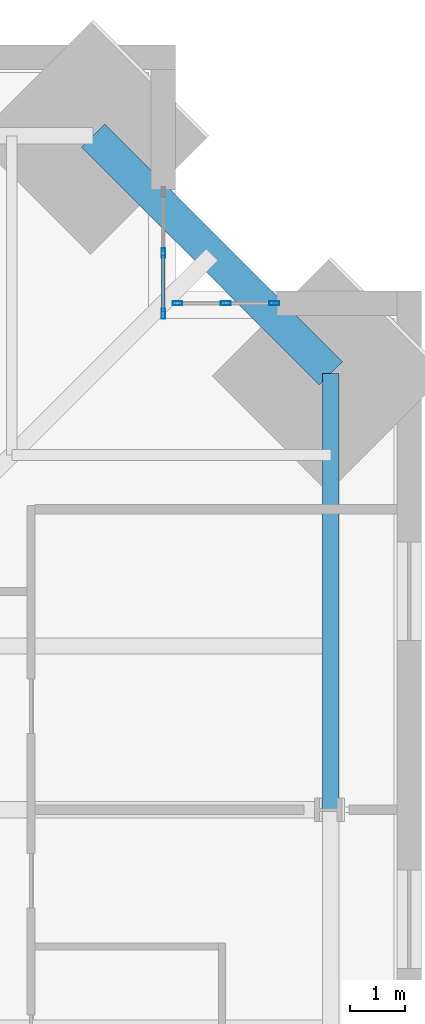
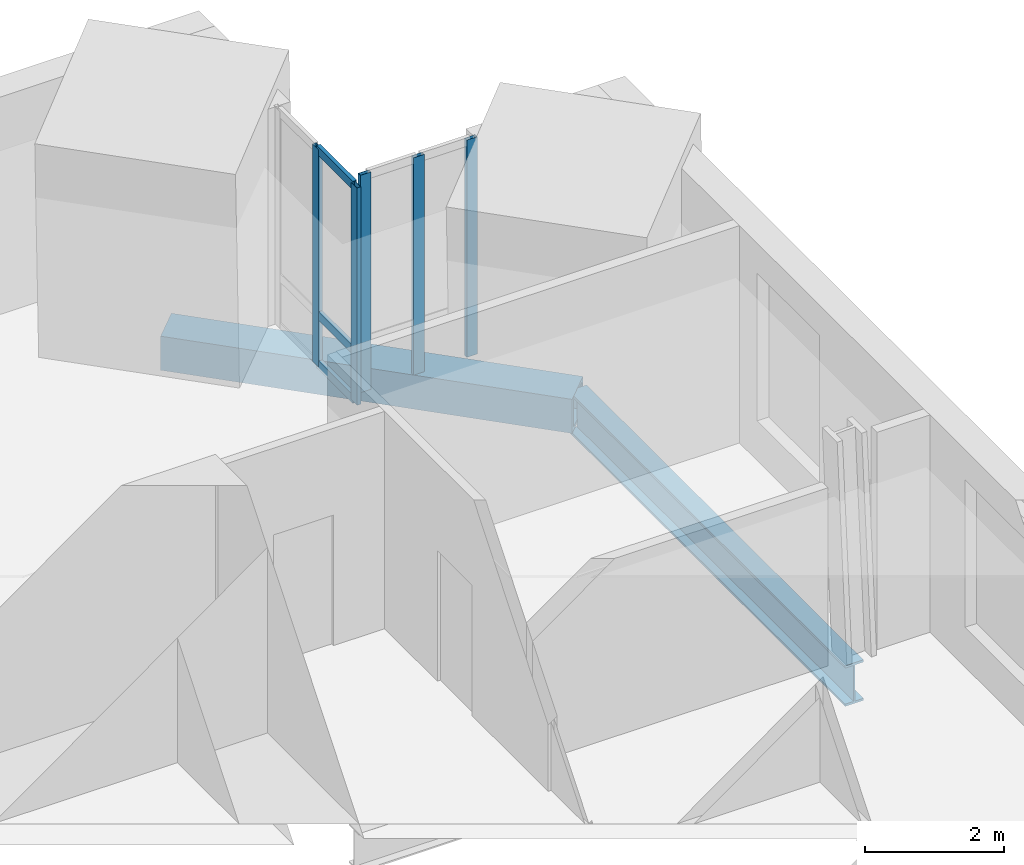
# One storey, part 8 of 16: 8 members, 2 beams, 2 elements without a shape of their own.
"""IFC4 building model written with IfcOpenShell, lengths in metres."""

from ifc_helpers import new_model, si_unit, direction, frame, origin, origin_2d, place, context, subcontext, project, spatial, hollow_rectangle, i_section, extrude, material, material_profile, profile_set, type_object, element, aggregate, save


model = new_model("IFC4")

# Units and contexts
model_context = context("Model", 3, precision=1e-05, world=origin(), true_north=direction((0.0, 1.0)))
body_context = subcontext(model_context, "Body", "Model", "MODEL_VIEW")
ifc_project = project(units=[si_unit("LENGTHUNIT", "METRE"), si_unit("AREAUNIT", "SQUARE_METRE"), si_unit("VOLUMEUNIT", "CUBIC_METRE"), si_unit("PLANEANGLEUNIT", "RADIAN"), si_unit("MASSUNIT", "GRAM", prefix="KILO")], contexts=[model_context])

# Site, building, storey
site_placement = place(None, origin())
site = spatial("IfcSite", under=ifc_project, at=site_placement, CompositionType="ELEMENT")
building_placement = place(site_placement, origin())
building = spatial("IfcBuilding", under=site, at=building_placement, Name="Peilmerk Tower", CompositionType="ELEMENT")
storey_placement = place(building_placement, frame((0.0, 0.0, 261.800048828125)))
storey = spatial("IfcBuildingStorey", under=building, at=storey_placement, Name="L58", CompositionType="ELEMENT", Elevation=261.800048828125)

# Beams
ifc_material_1 = material(Name="Steel S460", Category="steel")
ifc_material_profile_1 = material_profile(ifc_material_1, hollow_rectangle(XDim=0.60009765625, YDim=0.60009765625, WallThickness=0.06005859375, at=origin_2d()), Name="BOX 600x600x60")
ifc_profile_set_1 = profile_set([ifc_material_profile_1], Name="Steel S460")
beam_type_1 = type_object("IfcBeamType", Name="B20 BOX 600x600x60 notch beam", PredefinedType="SPANDREL", material=ifc_profile_set_1)
beam_1_placement = place(storey_placement, frame((15.990234375, 20.34033203125, -0.469970703125), z_axis=(0.707106781187, -0.707106781187, 0.0), x_axis=(0.707106781187, 0.707106781187, 0.0)))
element("IfcBeam", 1, at=beam_1_placement, inside=storey, type_object=beam_type_1, Name="Notch beam L58", PredefinedType="SPANDREL", context=body_context, shape_type="SweptSolid", body=[
    extrude(hollow_rectangle(XDim=0.60009765625, YDim=0.60009765625, WallThickness=0.06005859375, at=origin_2d()), origin(), (0.0, 0.0, 1.0), 6.15185546875),
])
ifc_material_2 = material(Name="Steel S355", Category="steel")
ifc_material_profile_2 = material_profile(ifc_material_2, i_section(OverallWidth=0.303955078125, OverallDepth=0.716064453125, WebThickness=0.02099609375, FlangeThickness=0.0400390625, at=origin_2d()), Name="HEM 700")
ifc_profile_set_2 = profile_set([ifc_material_profile_2], Name="Steel S355")
beam_type_2 = type_object("IfcBeamType", Name="B30 HEM 700 edge beam", PredefinedType="SPANDREL", material=ifc_profile_set_2)
beam_2_placement = place(storey_placement, frame((20.34033203125, 8.0, -0.528076171875), z_axis=(0.0, 1.0, 0.0), x_axis=(-1.0, 0.0, 0.0)))
element("IfcBeam", 2, at=beam_2_placement, inside=storey, type_object=beam_type_2, Name="Edge beam L58", PredefinedType="SPANDREL", context=body_context, shape_type="SweptSolid", body=[
    extrude(i_section(OverallWidth=0.303955078125, OverallDepth=0.716064453125, WebThickness=0.02099609375, FlangeThickness=0.0400390625, at=origin_2d()), origin(), (0.0, 0.0, 1.0), 7.990234375),
])

# Curtain wall, members
ifc_material_3 = material(Name="Aluminium stick curtain wall", Category="aluminium")
curtain_wall_type = type_object("IfcCurtainWallType", Name="CW4 stick curtain wall, 2250 module", PredefinedType="NOTDEFINED", material=ifc_material_3)
curtain_wall_1_placement = place(storey_placement, origin())
curtain_wall_1 = element("IfcCurtainWall", 3, at=curtain_wall_1_placement, inside=storey, type_object=curtain_wall_type, Name="Curtain wall CW4 NEA L58", PredefinedType="NOTDEFINED")
ifc_material_4 = material(Name="Aluminium EN AW-6063 T6", Category="aluminium")
ifc_material_profile_3 = material_profile(ifc_material_4, hollow_rectangle(XDim=0.06494140625, YDim=0.179931640625, WallThickness=0.0029296875, at=origin_2d()), Name="AL 180x65x3")
ifc_profile_set_3 = profile_set([ifc_material_profile_3], Name="Aluminium EN AW-6063 T6")
member_type_1 = type_object("IfcMemberType", Name="CW4-M AL 180x65x3 mullion", PredefinedType="MULLION", material=ifc_profile_set_3)
member_1_placement = place(storey_placement, frame((17.27490234375, 17.08251953125, 0.0), z_axis=(0.0, 0.0, 1.0), x_axis=(-1.0, 0.0, 0.0)))
member_1 = element("IfcMember", 4, at=member_1_placement, type_object=member_type_1, Name="CW4 mullion 1", PredefinedType="MULLION", context=body_context, shape_type="SweptSolid", body=[
    extrude(hollow_rectangle(XDim=0.06494140625, YDim=0.179931640625, WallThickness=0.0029296875, at=origin_2d()), origin(), (0.0, 0.0, 1.0), 3.829833984375),
])
member_2_placement = place(storey_placement, frame((17.27490234375, 18.1943359375, 0.0), z_axis=(0.0, 0.0, 1.0), x_axis=(-1.0, 0.0, 0.0)))
member_2 = element("IfcMember", 5, at=member_2_placement, type_object=member_type_1, Name="CW4 mullion 2", PredefinedType="MULLION", context=body_context, shape_type="SweptSolid", body=[
    extrude(hollow_rectangle(XDim=0.06494140625, YDim=0.179931640625, WallThickness=0.0029296875, at=origin_2d()), origin(), (0.0, 0.0, 1.0), 3.829833984375),
])

curtain_wall_2_placement = place(storey_placement, origin())
curtain_wall_2 = element("IfcCurtainWall", 6, at=curtain_wall_2_placement, inside=storey, type_object=curtain_wall_type, Name="Curtain wall CW4 NEB L58", PredefinedType="NOTDEFINED")
member_3_placement = place(storey_placement, frame((17.532470703125, 17.27490234375, 0.0), z_axis=(0.0, 0.0, 1.0), x_axis=(0.0, 1.0, 0.0)))
member_3 = element("IfcMember", 7, at=member_3_placement, type_object=member_type_1, Name="CW4 mullion 1", PredefinedType="MULLION", context=body_context, shape_type="SweptSolid", body=[
    extrude(hollow_rectangle(XDim=0.06494140625, YDim=0.179931640625, WallThickness=0.0029296875, at=origin_2d()), origin(), (0.0, 0.0, 1.0), 3.829833984375),
])
member_4_placement = place(storey_placement, frame((18.41943359375, 17.27490234375, 0.0), z_axis=(0.0, 0.0, 1.0), x_axis=(0.0, 1.0, 0.0)))
member_4 = element("IfcMember", 8, at=member_4_placement, type_object=member_type_1, Name="CW4 mullion 2", PredefinedType="MULLION", context=body_context, shape_type="SweptSolid", body=[
    extrude(hollow_rectangle(XDim=0.06494140625, YDim=0.179931640625, WallThickness=0.0029296875, at=origin_2d()), origin(), (0.0, 0.0, 1.0), 3.829833984375),
])
member_5_placement = place(storey_placement, frame((19.30615234375, 17.27490234375, 0.0), z_axis=(0.0, 0.0, 1.0), x_axis=(0.0, 1.0, 0.0)))
member_5 = element("IfcMember", 9, at=member_5_placement, type_object=member_type_1, Name="CW4 mullion 3", PredefinedType="MULLION", context=body_context, shape_type="SweptSolid", body=[
    extrude(hollow_rectangle(XDim=0.06494140625, YDim=0.179931640625, WallThickness=0.0029296875, at=origin_2d()), origin(), (0.0, 0.0, 1.0), 3.829833984375),
])
aggregate(curtain_wall_2, [member_3, member_4, member_5])

# Member
ifc_material_profile_4 = material_profile(ifc_material_4, hollow_rectangle(XDim=0.06494140625, YDim=0.14990234375, WallThickness=0.0029296875, at=origin_2d()), Name="AL 150x65x3")
ifc_profile_set_4 = profile_set([ifc_material_profile_4], Name="Aluminium EN AW-6063 T6")
member_type_2 = type_object("IfcMemberType", Name="CW4-T AL 150x65x3 transom", PredefinedType="USERDEFINED", material=ifc_profile_set_4)
member_6_placement = place(storey_placement, frame((17.27490234375, 17.114990234375, 0.032470703125), z_axis=(0.0, 1.0, 0.0), x_axis=(-1.0, 0.0, 0.0)))
member_6 = element("IfcMember", 10, at=member_6_placement, type_object=member_type_2, Name="CW4 transom 1.1", ObjectType="TRANSOM", PredefinedType="USERDEFINED", context=body_context, shape_type="SweptSolid", body=[
    extrude(hollow_rectangle(XDim=0.06494140625, YDim=0.14990234375, WallThickness=0.0029296875, at=origin_2d()), origin(), (0.0, 0.0, 1.0), 1.046875),
])

member_7_placement = place(storey_placement, frame((17.27490234375, 17.114990234375, 0.89990234375), z_axis=(0.0, 1.0, 0.0), x_axis=(-1.0, 0.0, 0.0)))
member_7 = element("IfcMember", 11, at=member_7_placement, type_object=member_type_2, Name="CW4 transom 1.2", ObjectType="TRANSOM", PredefinedType="USERDEFINED", context=body_context, shape_type="SweptSolid", body=[
    extrude(hollow_rectangle(XDim=0.06494140625, YDim=0.14990234375, WallThickness=0.0029296875, at=origin_2d()), origin(), (0.0, 0.0, 1.0), 1.046875),
])

member_8_placement = place(storey_placement, frame((17.27490234375, 17.114990234375, 3.79736328125), z_axis=(0.0, 1.0, 0.0), x_axis=(-1.0, 0.0, 0.0)))
member_8 = element("IfcMember", 12, at=member_8_placement, type_object=member_type_2, Name="CW4 transom 1.3", ObjectType="TRANSOM", PredefinedType="USERDEFINED", context=body_context, shape_type="SweptSolid", body=[
    extrude(hollow_rectangle(XDim=0.06494140625, YDim=0.14990234375, WallThickness=0.0029296875, at=origin_2d()), origin(), (0.0, 0.0, 1.0), 1.046875),
])

aggregate(curtain_wall_1, [member_1, member_2, member_6, member_7, member_8])

save(model, "model.ifc")
